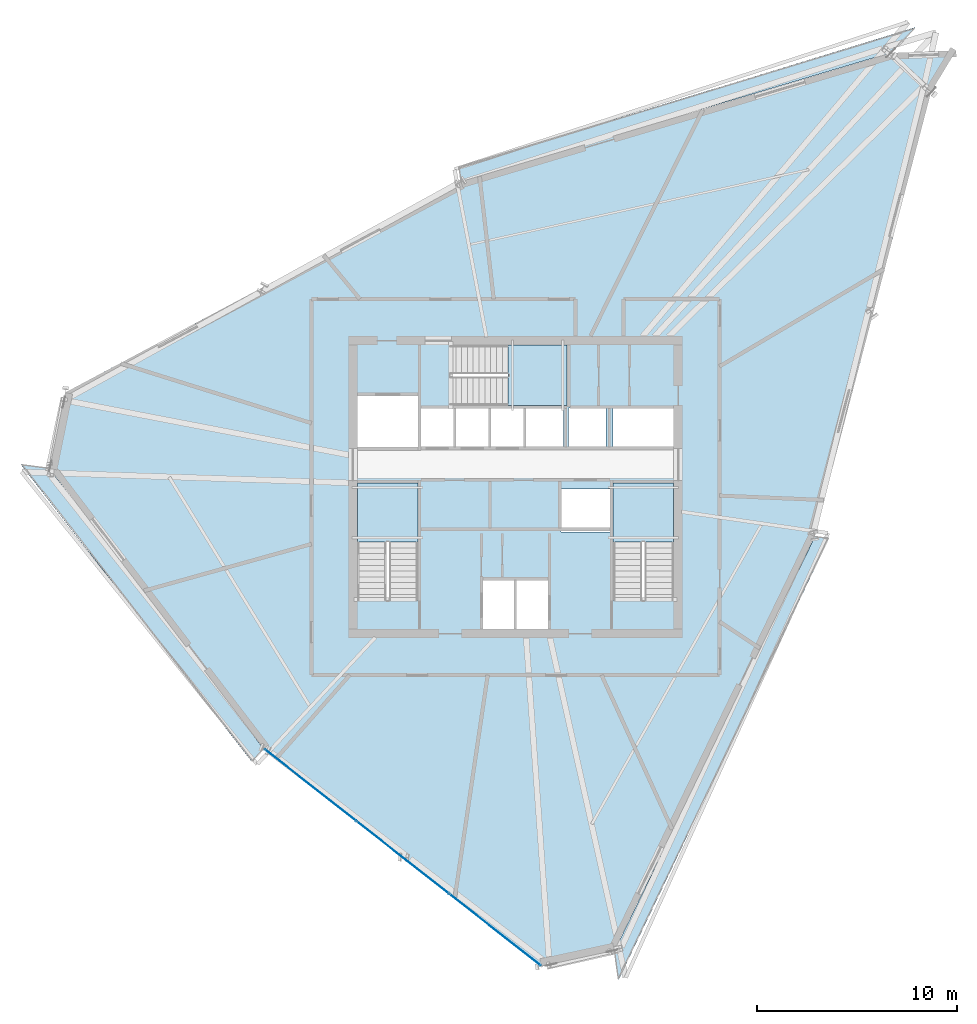
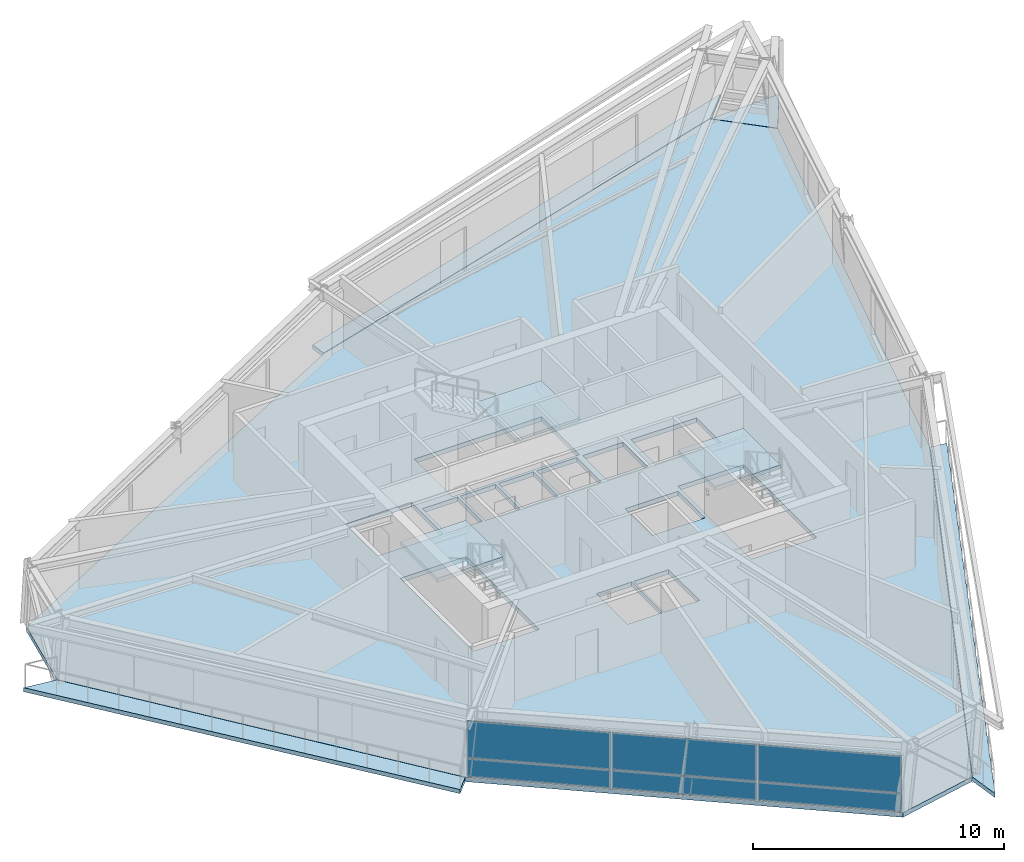
# One storey, part 5 of 14: 8 slabs, 6 plates, 4 elements without a shape of their own.
"""IFC4 building model written with IfcOpenShell, lengths in metres."""

from ifc_helpers import new_model, si_unit, direction, frame, origin, origin_2d, place, context, subcontext, project, spatial, polyline, rectangle, outline, extrude, source, transform, mapped, material, layer, layer_set, type_object, element, aggregate, save


model = new_model("IFC4")

# Units and contexts
model_context = context("Model", 3, precision=1e-05, world=origin(), true_north=direction((0.0, 1.0)))
body_context = subcontext(model_context, "Body", "Model", "MODEL_VIEW")
ifc_project = project(units=[si_unit("LENGTHUNIT", "METRE"), si_unit("AREAUNIT", "SQUARE_METRE"), si_unit("VOLUMEUNIT", "CUBIC_METRE"), si_unit("PLANEANGLEUNIT", "RADIAN"), si_unit("MASSUNIT", "GRAM", prefix="KILO")], contexts=[model_context])

# Site, building, storey
site_placement = place(None, origin())
site = spatial("IfcSite", under=ifc_project, at=site_placement, CompositionType="ELEMENT")
building_placement = place(site_placement, origin())
building = spatial("IfcBuilding", under=site, at=building_placement, Name="Olszyna Solenne Hotel", CompositionType="ELEMENT")
storey_placement = place(building_placement, frame((0.0, 0.0, 223.800048828125)))
storey = spatial("IfcBuildingStorey", under=building, at=storey_placement, Name="L59", CompositionType="ELEMENT", Elevation=223.800048828125)

# Stair, slab
ifc_material_1 = material(Name="Concrete C40/50", Category="concrete")
stair_type = type_object("IfcStairType", Name="STR-C1", PredefinedType="TWO_QUARTER_WINDING_STAIR", material=ifc_material_1)
stair_1_placement = place(storey_placement, origin())
stair_1 = element("IfcStair", 1, at=stair_1_placement, inside=storey, type_object=stair_type, Name="L59 ST1", PredefinedType="TWO_QUARTER_WINDING_STAIR")
ifc_layer_1 = layer(ifc_material_1, 0.18994140625, Name="Concrete C40/50")
ifc_layer_set_1 = layer_set([ifc_layer_1], Name="Concrete C40/50")
slab_type_1 = type_object("IfcSlabType", Name="SL-LN190", PredefinedType="LANDING", material=ifc_layer_set_1)
slab_1_placement = place(storey_placement, frame((0.0, 0.0, 1.574951171875)))
slab_1 = element("IfcSlab", 2, at=slab_1_placement, type_object=slab_type_1, Name="ST1 landing 1", PredefinedType="LANDING", context=body_context, shape_type="SweptSolid", body=[
    extrude(outline(polyline([(33.1201171875, 23.85009765625), (33.1201171875, 26.800048828125), (30.10009765625, 26.800048828125), (30.10009765625, 23.85009765625), (33.1201171875, 23.85009765625)])), origin(), (0.0, 0.0, 1.0), 0.199951171875),
])
aggregate(stair_1, [slab_1])

stair_2_placement = place(storey_placement, origin())
stair_2 = element("IfcStair", 3, at=stair_2_placement, inside=storey, type_object=stair_type, Name="L59 ST2", PredefinedType="TWO_QUARTER_WINDING_STAIR")
slab_2_placement = place(storey_placement, frame((0.0, 0.0, 1.574951171875)))
slab_2 = element("IfcSlab", 4, at=slab_2_placement, type_object=slab_type_1, Name="ST2 landing 1", PredefinedType="LANDING", context=body_context, shape_type="SweptSolid", body=[
    extrude(outline(polyline([(45.89990234375, 23.85009765625), (45.89990234375, 26.800048828125), (42.8798828125, 26.800048828125), (42.8798828125, 23.85009765625), (45.89990234375, 23.85009765625)])), origin(), (0.0, 0.0, 1.0), 0.199951171875),
])
aggregate(stair_2, [slab_2])

stair_3_placement = place(storey_placement, origin())
stair_3 = element("IfcStair", 5, at=stair_3_placement, inside=storey, type_object=stair_type, Name="L59 ST3", PredefinedType="TWO_QUARTER_WINDING_STAIR")
slab_3_placement = place(storey_placement, frame((0.0, 0.0, 1.574951171875)))
slab_3 = element("IfcSlab", 6, at=slab_3_placement, type_object=slab_type_1, Name="ST3 landing 1", PredefinedType="LANDING", context=body_context, shape_type="SweptSolid", body=[
    extrude(outline(polyline([(37.6298828125, 30.679931640625), (40.580078125, 30.679931640625), (40.580078125, 33.699951171875), (37.6298828125, 33.699951171875), (37.6298828125, 30.679931640625)])), origin(), (0.0, 0.0, 1.0), 0.199951171875),
])
aggregate(stair_3, [slab_3])

# Slabs
ifc_material_2 = material(Name="Precast concrete C45/55", Category="concrete")
ifc_layer_2 = layer(ifc_material_2, 0.199951171875, Name="Precast concrete C45/55")
ifc_layer_set_2 = layer_set([ifc_layer_2], Name="Precast concrete C45/55")
slab_type_2 = type_object("IfcSlabType", Name="SL-LOG200", PredefinedType="FLOOR", material=ifc_layer_set_2)
slab_4_placement = place(storey_placement, frame((0.0, 0.0, -0.199951171875)))
element("IfcSlab", 7, at=slab_4_placement, inside=storey, type_object=slab_type_2, Name="Exterior loggia balcony slab SL-L59-LG1", PredefinedType="FLOOR", context=body_context, shape_type="SweptSolid", body=[
    extrude(outline(polyline([(35.27978515625, 41.886474609375), (56.762939453125, 48.3115234375), (56.76416015625, 48.311767578125), (56.765380859375, 48.31201171875), (56.7666015625, 48.31201171875), (56.781982421875, 48.312744140625), (57.997314453125, 49.585205078125), (35.17724609375, 42.610595703125), (35.27978515625, 41.886474609375)])), origin(), (0.0, 0.0, 1.0), 0.199951171875),
])
slab_5_placement = place(storey_placement, frame((0.0, 0.0, -0.199951171875)))
element("IfcSlab", 8, at=slab_5_placement, inside=storey, type_object=slab_type_2, Name="Exterior loggia balcony slab SL-L59-LG2", PredefinedType="FLOOR", context=body_context, shape_type="SweptSolid", body=[
    extrude(outline(polyline([(25.4140625, 13.513916015625), (25.413330078125, 13.5146484375), (25.41259765625, 13.515625), (14.708251953125, 27.521484375), (14.70751953125, 27.522705078125), (14.706787109375, 27.52392578125), (14.706298828125, 27.525390625), (14.705810546875, 27.526611328125), (14.705322265625, 27.528076171875), (14.705322265625, 27.529296875), (14.705078125, 27.531005859375), (14.705322265625, 27.5322265625), (14.705322265625, 27.53271484375), (13.281005859375, 27.72119140625), (24.8095703125, 12.880615234375), (25.4140625, 13.513916015625)])), origin(), (0.0, 0.0, 1.0), 0.199951171875),
])
slab_6_placement = place(storey_placement, frame((0.0, 0.0, -0.199951171875)))
element("IfcSlab", 9, at=slab_6_placement, inside=storey, type_object=slab_type_2, Name="Exterior loggia balcony slab SL-L59-LG3", PredefinedType="FLOOR", context=body_context, shape_type="SweptSolid", body=[
    extrude(outline(polyline([(52.96630859375, 24.12548828125), (52.9658203125, 24.123779296875), (52.965576171875, 24.122314453125), (52.96484375, 24.12109375), (42.95703125, 3.432373046875), (42.956298828125, 3.430908203125), (42.95556640625, 3.4296875), (42.95458984375, 3.428466796875), (42.95361328125, 3.427490234375), (42.952392578125, 3.426513671875), (42.950927734375, 3.42578125), (42.94970703125, 3.425048828125), (42.9482421875, 3.424560546875), (42.94677734375, 3.424072265625), (42.94580078125, 3.423828125), (43.15283203125, 1.96044921875), (53.671142578125, 24.0322265625), (52.96630859375, 24.12548828125)])), origin(), (0.0, 0.0, 1.0), 0.199951171875),
])
ifc_material_3 = material(Name="Concrete C50/60", Category="concrete")
ifc_layer_3 = layer(ifc_material_3, 0.219970703125, Name="Concrete C50/60")
ifc_layer_set_3 = layer_set([ifc_layer_3], Name="Concrete C50/60")
slab_type_3 = type_object("IfcSlabType", Name="SL-TW225", PredefinedType="FLOOR", material=ifc_layer_set_3)
slab_7_placement = place(storey_placement, frame((0.0, 0.0, -0.219970703125)))
element("IfcSlab", 10, at=slab_7_placement, inside=storey, type_object=slab_type_3, Name="Floor slab SL-TW225 SL-L59-01", PredefinedType="FLOOR", context=body_context, shape_type="SweptSolid", body=[
    extrude(outline(polyline([(58.778076171875, 46.35888671875), (56.76708984375, 48.297119140625), (35.281982421875, 41.871337890625), (15.49169921875, 31.32373046875), (14.72021484375, 27.53076171875), (25.424560546875, 13.524658203125), (39.29931640625, 2.65087890625), (42.943603515625, 3.438720703125), (52.951416015625, 24.12744140625), (58.778076171875, 46.35888671875)]), holes=[polyline([(30.10009765625, 20.949951171875), (33.1201171875, 20.949951171875), (33.1201171875, 26.800048828125), (30.10009765625, 26.800048828125), (30.10009765625, 20.949951171875)]), polyline([(42.8798828125, 20.949951171875), (45.89990234375, 20.949951171875), (45.89990234375, 26.800048828125), (42.8798828125, 26.800048828125), (42.8798828125, 20.949951171875)]), polyline([(34.72998046875, 30.679931640625), (40.580078125, 30.679931640625), (40.580078125, 33.699951171875), (34.72998046875, 33.699951171875), (34.72998046875, 30.679931640625)]), polyline([(36.340087890625, 19.5), (37.9599609375, 19.5), (37.9599609375, 21.9599609375), (36.340087890625, 21.9599609375), (36.340087890625, 19.5)]), polyline([(38.0400390625, 19.5), (39.659912109375, 19.5), (39.659912109375, 21.9599609375), (38.0400390625, 21.9599609375), (38.0400390625, 19.5)]), polyline([(30.10009765625, 28.60009765625), (33.1201171875, 28.60009765625), (33.1201171875, 31.159912109375), (30.10009765625, 31.159912109375), (30.10009765625, 28.60009765625)]), polyline([(40.280029296875, 24.360107421875), (42.719970703125, 24.360107421875), (42.719970703125, 26.5), (40.280029296875, 26.5), (40.280029296875, 24.360107421875)]), polyline([(33.280029296875, 28.60009765625), (34.89990234375, 28.60009765625), (34.89990234375, 30.550048828125), (33.280029296875, 30.550048828125), (33.280029296875, 28.60009765625)]), polyline([(35.030029296875, 28.60009765625), (36.64990234375, 28.60009765625), (36.64990234375, 30.550048828125), (35.030029296875, 30.550048828125), (35.030029296875, 28.60009765625)]), polyline([(36.780029296875, 28.60009765625), (38.39990234375, 28.60009765625), (38.39990234375, 30.550048828125), (36.780029296875, 30.550048828125), (36.780029296875, 28.60009765625)]), polyline([(38.530029296875, 28.60009765625), (40.389892578125, 28.60009765625), (40.389892578125, 30.550048828125), (38.530029296875, 30.550048828125), (38.530029296875, 28.60009765625)]), polyline([(40.659912109375, 28.60009765625), (42.52001953125, 28.60009765625), (42.52001953125, 30.550048828125), (40.659912109375, 30.550048828125), (40.659912109375, 28.60009765625)]), polyline([(42.8798828125, 28.60009765625), (45.89990234375, 28.60009765625), (45.89990234375, 30.550048828125), (42.8798828125, 30.550048828125), (42.8798828125, 28.60009765625)])]), origin(), (0.0, 0.0, 1.0), 0.219970703125),
])
slab_8_placement = place(storey_placement, frame((0.0, 0.0, -0.219970703125)))
element("IfcSlab", 11, at=slab_8_placement, inside=storey, type_object=slab_type_3, Name="Faceted glass-prism floor slab SL-L59-PR", PredefinedType="FLOOR", context=body_context, shape_type="SweptSolid", body=[
    extrude(outline(polyline([(56.781005859375, 48.297607421875), (58.783203125, 46.36767578125), (60.027099609375, 48.4189453125), (56.781005859375, 48.297607421875)])), origin(), (0.0, 0.0, 1.0), 0.219970703125),
])

# Curtain wall, plates
ifc_material_4 = material(Name="Anodised bronze aluminium", Category="aluminium")
curtain_wall_type = type_object("IfcCurtainWallType", Name="CW-SYS-4", PredefinedType="NOTDEFINED", material=ifc_material_4)
curtain_wall_placement = place(storey_placement, origin())
curtain_wall = element("IfcCurtainWall", 12, at=curtain_wall_placement, inside=storey, type_object=curtain_wall_type, Name="Unitised curtain wall CW-SYS-4 CW-L59-01", PredefinedType="NOTDEFINED")
ifc_material_5 = material(Name="Terracotta cladding", Category="masonry")
plate_type_1 = type_object("IfcPlateType", Name="PN-SP1", PredefinedType="CURTAIN_PANEL", material=ifc_material_5)
shared_shape_1 = source(origin(), body_context, "Body", "SweptSolid", [
    extrude(rectangle(XDim=5.778564453125, YDim=0.035888671875, at=origin_2d()), origin(), (0.0, 0.0, 1.0), 0.8525390625),
])
plate_1_placement = place(storey_placement, frame((27.749755859375, 11.702392578125, 0.06494140625), z_axis=(0.0, 0.0, 1.0), x_axis=(0.787079735067, -0.616851271091, 0.0)))
plate_1 = element("IfcPlate", 13, at=plate_1_placement, type_object=plate_type_1, Name="Curtain-wall panel PN-SP1 CP-L59-01-01", PredefinedType="CURTAIN_PANEL", context=body_context, shape_type="MappedRepresentation", body=[
    mapped(shared_shape_1, transform((0.0, 0.0, 0.0), x_axis=(1.0, 0.0, 0.0), y_axis=(0.0, 1.0, 0.0), z_axis=(0.0, 0.0, 1.0), scale=1.0)),
])
plate_2_placement = place(storey_placement, frame((36.973876953125, 4.47314453125, 0.06494140625), z_axis=(0.0, 0.0, 1.0), x_axis=(0.787079735067, -0.616851271091, 0.0)))
plate_2 = element("IfcPlate", 14, at=plate_2_placement, type_object=plate_type_1, Name="Curtain-wall panel PN-SP1 CP-L59-01-05", PredefinedType="CURTAIN_PANEL", context=body_context, shape_type="MappedRepresentation", body=[
    mapped(shared_shape_1, transform((0.0, 0.0, 0.0), x_axis=(1.0, 0.0, 0.0), y_axis=(0.0, 1.0, 0.0), z_axis=(0.0, 0.0, 1.0), scale=1.0)),
])
ifc_material_6 = material(Name="Low-E triple glazing", Category="glass")
plate_type_2 = type_object("IfcPlateType", Name="PN-GL1", PredefinedType="CURTAIN_PANEL", material=ifc_material_6)
shared_shape_2 = source(origin(), body_context, "Body", "SweptSolid", [
    extrude(rectangle(XDim=5.778564453125, YDim=0.035888671875, at=origin_2d()), origin(), (0.0, 0.0, 1.0), 1.7744140625),
])
plate_3_placement = place(storey_placement, frame((27.749755859375, 11.702392578125, 0.982421875), z_axis=(0.0, 0.0, 1.0), x_axis=(0.787079735067, -0.616851271091, 0.0)))
plate_3 = element("IfcPlate", 15, at=plate_3_placement, type_object=plate_type_2, Name="Curtain-wall panel PN-GL1 CP-L59-01-02", PredefinedType="CURTAIN_PANEL", context=body_context, shape_type="MappedRepresentation", body=[
    mapped(shared_shape_2, transform((0.0, 0.0, 0.0), x_axis=(1.0, 0.0, 0.0), y_axis=(0.0, 1.0, 0.0), z_axis=(0.0, 0.0, 1.0), scale=1.0)),
])
plate_4_placement = place(storey_placement, frame((36.973876953125, 4.47314453125, 0.982421875), z_axis=(0.0, 0.0, 1.0), x_axis=(0.787079735067, -0.616851271091, 0.0)))
plate_4 = element("IfcPlate", 16, at=plate_4_placement, type_object=plate_type_2, Name="Curtain-wall panel PN-GL1 CP-L59-01-06", PredefinedType="CURTAIN_PANEL", context=body_context, shape_type="MappedRepresentation", body=[
    mapped(shared_shape_2, transform((0.0, 0.0, 0.0), x_axis=(1.0, 0.0, 0.0), y_axis=(0.0, 1.0, 0.0), z_axis=(0.0, 0.0, 1.0), scale=1.0)),
])
shared_shape_3 = source(origin(), body_context, "Body", "SweptSolid", [
    extrude(rectangle(XDim=5.81103515625, YDim=0.035888671875, at=origin_2d()), origin(), (0.0, 0.0, 1.0), 0.8525390625),
])
plate_5_placement = place(storey_placement, frame((32.36181640625, 8.087646484375, 0.06494140625), z_axis=(0.0, 0.0, 1.0), x_axis=(0.787079735067, -0.616851271091, 0.0)))
plate_5 = element("IfcPlate", 17, at=plate_5_placement, type_object=plate_type_1, Name="Curtain-wall panel PN-SP1 CP-L59-01-03", PredefinedType="CURTAIN_PANEL", context=body_context, shape_type="MappedRepresentation", body=[
    mapped(shared_shape_3, transform((0.0, 0.0, 0.0), x_axis=(1.0, 0.0, 0.0), y_axis=(0.0, 1.0, 0.0), z_axis=(0.0, 0.0, 1.0), scale=1.0)),
])
shared_shape_4 = source(origin(), body_context, "Body", "SweptSolid", [
    extrude(rectangle(XDim=5.81103515625, YDim=0.035888671875, at=origin_2d()), origin(), (0.0, 0.0, 1.0), 1.7744140625),
])
plate_6_placement = place(storey_placement, frame((32.36181640625, 8.087646484375, 0.982421875), z_axis=(0.0, 0.0, 1.0), x_axis=(0.787079735067, -0.616851271091, 0.0)))
plate_6 = element("IfcPlate", 18, at=plate_6_placement, type_object=plate_type_2, Name="Curtain-wall panel PN-GL1 CP-L59-01-04", PredefinedType="CURTAIN_PANEL", context=body_context, shape_type="MappedRepresentation", body=[
    mapped(shared_shape_4, transform((0.0, 0.0, 0.0), x_axis=(1.0, 0.0, 0.0), y_axis=(0.0, 1.0, 0.0), z_axis=(0.0, 0.0, 1.0), scale=1.0)),
])
aggregate(curtain_wall, [plate_1, plate_3, plate_5, plate_6, plate_2, plate_4])

save(model, "model.ifc")
